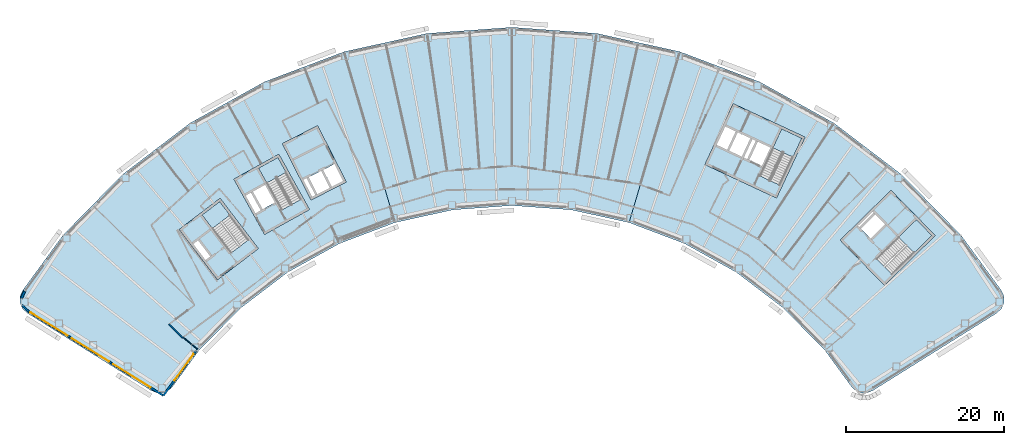
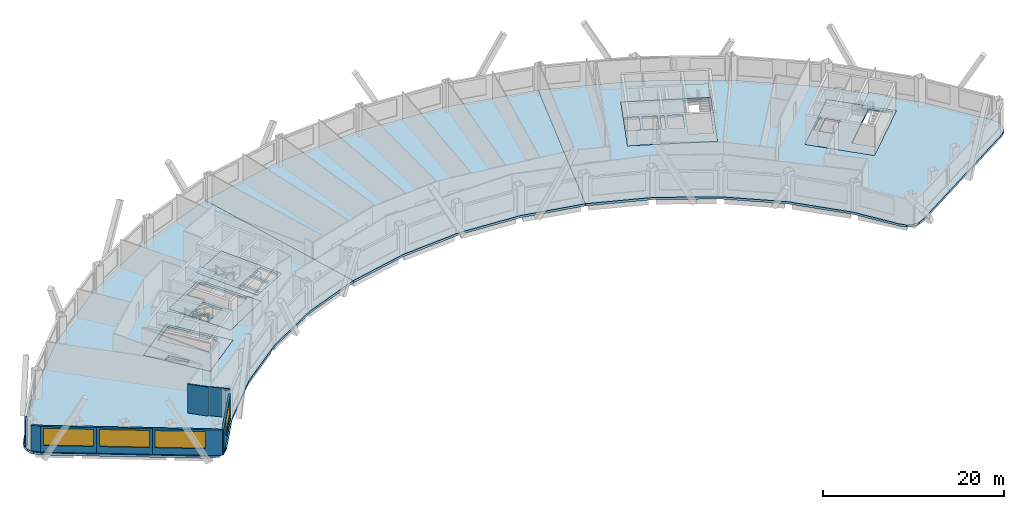
# One storey, part 4 of 13: 12 slabs, 8 walls, 4 windows, 4 openings, 4 elements without a shape of their own.
"""IFC4 building model written with IfcOpenShell, lengths in metres."""

from ifc_helpers import new_model, si_unit, direction, frame, frame_2d, origin, place, context, subcontext, project, spatial, polyline, rectangle, outline, extrude, material, layer, layer_set, type_object, element, fill, aggregate, save


model = new_model("IFC4")

# Units and contexts
model_context = context("Model", 3, precision=1e-05, world=origin(), true_north=direction((0.0, 1.0)))
body_context = subcontext(model_context, "Body", "Model", "MODEL_VIEW")
ifc_project = project(units=[si_unit("LENGTHUNIT", "METRE"), si_unit("AREAUNIT", "SQUARE_METRE"), si_unit("VOLUMEUNIT", "CUBIC_METRE"), si_unit("PLANEANGLEUNIT", "RADIAN"), si_unit("MASSUNIT", "GRAM", prefix="KILO")], contexts=[model_context])

# Site, building, storey
site_placement = place(None, origin())
site = spatial("IfcSite", under=ifc_project, at=site_placement, CompositionType="ELEMENT")
building_placement = place(site_placement, origin())
building = spatial("IfcBuilding", under=site, at=building_placement, Name="Tuul Gate Civic Tower", CompositionType="ELEMENT")
storey_placement = place(building_placement, frame((0.0, 0.0, 188.89990234375)))
storey = spatial("IfcBuildingStorey", under=building, at=storey_placement, Name="Level 43", CompositionType="ELEMENT", Elevation=188.89990234375)

# Slabs
ifc_material_1 = material(Name="Concrete C40/50", Category="concrete")
ifc_layer_1 = layer(ifc_material_1, 0.300048828125)
ifc_layer_set_1 = layer_set([ifc_layer_1], Name="Concrete C40/50")
slab_type_1 = type_object("IfcSlabType", Name="Core floor slab 300", PredefinedType="FLOOR", material=ifc_layer_set_1)
slab_1_placement = place(storey_placement, frame((0.0, 0.0, -0.2998046875)))
element("IfcSlab", 1, at=slab_1_placement, inside=storey, type_object=slab_type_1, Name="FLOOR SLAB", PredefinedType="FLOOR", context=body_context, shape_type="SweptSolid", body=[
    extrude(outline(polyline([(-31.10009765625, -13.7890625), (-35.946044921875, -7.423828125), (-41.11767578125, -11.361572265625), (-36.271484375, -17.726806640625), (-31.10009765625, -13.7890625)]), holes=[polyline([(-37.19287109375, -14.783203125), (-38.737548828125, -12.75439453125), (-39.45361328125, -13.299560546875), (-37.908935546875, -15.328369140625), (-37.19287109375, -14.783203125)]), polyline([(-32.33935546875, -12.65771484375), (-34.56591796875, -14.352783203125), (-38.229736328125, -9.54052734375), (-36.003173828125, -7.845458984375), (-32.33935546875, -12.65771484375)])]), origin(), (0.0, 0.0, 1.0), 0.2998046875),
])
slab_2_placement = place(storey_placement, frame((0.0, 0.0, -0.2998046875)))
element("IfcSlab", 2, at=slab_2_placement, inside=storey, type_object=slab_type_1, Name="FLOOR SLAB", PredefinedType="FLOOR", context=body_context, shape_type="SweptSolid", body=[
    extrude(outline(polyline([(-24.638916015625, -8.846923828125), (-28.51708984375, -1.849853515625), (-34.2021484375, -5.0009765625), (-30.32421875, -11.998046875), (-24.638916015625, -8.846923828125)]), holes=[polyline([(-29.0185546875, -7.958740234375), (-30.254638671875, -5.728515625), (-31.785400390625, -6.576904296875), (-30.54931640625, -8.80712890625), (-29.0185546875, -7.958740234375)]), polyline([(-30.8115234375, -8.95263671875), (-32.047607421875, -6.72216796875), (-32.8349609375, -7.158447265625), (-31.5986328125, -9.388916015625), (-30.8115234375, -8.95263671875)]), polyline([(-25.702392578125, -7.548828125), (-28.14990234375, -8.905517578125), (-31.08203125, -3.615234375), (-28.63427734375, -2.2587890625), (-25.702392578125, -7.548828125)])]), origin(), (0.0, 0.0, 1.0), 0.2998046875),
])
slab_3_placement = place(storey_placement, frame((0.0, 0.0, -0.2998046875)))
element("IfcSlab", 3, at=slab_3_placement, inside=storey, type_object=slab_type_1, Name="FLOOR SLAB", PredefinedType="FLOOR", context=body_context, shape_type="SweptSolid", body=[
    extrude(outline(polyline([(48.117919921875, -18.43310546875), (54.545166015625, -12.1328125), (48.945068359375, -6.419921875), (42.517822265625, -12.719970703125), (48.117919921875, -18.43310546875)]), holes=[polyline([(46.373779296875, -12.510986328125), (48.19482421875, -10.725830078125), (46.969970703125, -9.47607421875), (45.14892578125, -11.26123046875), (46.373779296875, -12.510986328125)]), polyline([(44.93896484375, -11.046875), (46.760009765625, -9.261962890625), (46.514892578125, -9.011962890625), (44.69384765625, -10.797119140625), (44.93896484375, -11.046875)]), polyline([(49.086181640625, -17.062744140625), (47.12744140625, -15.064208984375), (52.160888671875, -10.130126953125), (54.11962890625, -12.128662109375), (49.086181640625, -17.062744140625)])]), origin(), (0.0, 0.0, 1.0), 0.2998046875),
])
slab_4_placement = place(storey_placement, frame((0.0, 0.0, -0.2998046875)))
element("IfcSlab", 4, at=slab_4_placement, inside=storey, type_object=slab_type_1, Name="FLOOR SLAB", PredefinedType="FLOOR", context=body_context, shape_type="SweptSolid", body=[
    extrude(outline(polyline([(34.465087890625, -7.385986328125), (38.056884765625, 0.31787109375), (28.993896484375, 4.543701171875), (25.40185546875, -3.159912109375), (34.465087890625, -7.385986328125)]), holes=[polyline([(32.60888671875, -3.32080078125), (33.6865234375, -1.009765625), (32.1005859375, -0.27001953125), (31.02294921875, -2.581298828125), (32.60888671875, -3.32080078125)]), polyline([(30.0712890625, -2.137451171875), (31.14892578125, 0.173583984375), (29.562744140625, 0.9130859375), (28.4853515625, -1.39794921875), (30.0712890625, -2.137451171875)]), polyline([(30.751220703125, -2.454345703125), (31.82861328125, -0.143310546875), (31.4208984375, 0.046875), (30.34326171875, -2.264404296875), (30.751220703125, -2.454345703125)]), polyline([(28.21337890625, -1.27099609375), (29.291015625, 1.0400390625), (27.8408203125, 1.71630859375), (26.76318359375, -0.594970703125), (28.21337890625, -1.27099609375)]), polyline([(34.889892578125, -5.7626953125), (32.353759765625, -4.580078125), (35.120849609375, 1.354736328125), (37.6572265625, 0.17236328125), (34.889892578125, -5.7626953125)])]), origin(), (0.0, 0.0, 1.0), 0.2998046875),
])
ifc_material_2 = material(Name="Concrete C40/50", Category="concrete")
ifc_layer_2 = layer(ifc_material_2, 0.300048828125)
ifc_layer_set_2 = layer_set([ifc_layer_2], Name="Concrete C40/50")
slab_type_2 = type_object("IfcSlabType", Name="Core floor slab 300 non-bearing", PredefinedType="FLOOR", material=ifc_layer_set_2)
slab_5_placement = place(storey_placement, frame((0.0, 0.0, -0.2998046875)))
element("IfcSlab", 5, at=slab_5_placement, inside=storey, type_object=slab_type_2, Name="FLOOR SLAB", PredefinedType="FLOOR", context=body_context, shape_type="SweptSolid", body=[
    extrude(outline(polyline([(-19.98095703125, -5.365966796875), (-23.613037109375, 1.761962890625), (-28.068115234375, -0.508056640625), (-24.43603515625, -7.635986328125), (-19.98095703125, -5.365966796875)]), holes=[polyline([(-20.384521484375, -5.23486328125), (-21.47412109375, -3.096435546875), (-22.899658203125, -3.822998046875), (-21.81005859375, -5.961181640625), (-20.384521484375, -5.23486328125)]), polyline([(-22.077392578125, -6.097412109375), (-23.1669921875, -3.958984375), (-24.726318359375, -4.753662109375), (-23.63671875, -6.89208984375), (-22.077392578125, -6.097412109375)]), polyline([(-23.8359375, -7.161865234375), (-24.99365234375, -4.889892578125), (-25.5283203125, -5.162109375), (-24.37060546875, -7.434326171875), (-23.8359375, -7.161865234375)])]), origin(), (0.0, 0.0, 1.0), 0.2998046875),
])

# Stair, slab
ifc_material_3 = material(Name="Concrete C40/50", Category="concrete")
stair_type = type_object("IfcStairType", Name="Exit stair", PredefinedType="HALF_TURN_STAIR", material=ifc_material_3)
stair_1_placement = place(storey_placement, origin())
stair_1 = element("IfcStair", 6, at=stair_1_placement, inside=storey, type_object=stair_type, Name="Level 43 ST-1", PredefinedType="HALF_TURN_STAIR")
ifc_material_4 = material(Name="Concrete C40/50", Category="concrete")
ifc_layer_3 = layer(ifc_material_4, 0.199951171875)
ifc_layer_set_3 = layer_set([ifc_layer_3], Name="Concrete C40/50")
slab_type_3 = type_object("IfcSlabType", Name="Exit stair landing", PredefinedType="LANDING", material=ifc_layer_set_3)
slab_6_placement = place(storey_placement, frame((0.0, 0.0, 1.900146484375)))
slab_6 = element("IfcSlab", 7, at=slab_6_placement, type_object=slab_type_3, Name="ST-1 landing 1", PredefinedType="LANDING", context=body_context, shape_type="SweptSolid", body=[
    extrude(outline(polyline([(-34.699462890625, -9.554931640625), (-36.9287109375, -11.252197265625), (-38.23193359375, -9.540283203125), (-36.0029296875, -7.843017578125), (-34.699462890625, -9.554931640625)])), origin(), (0.0, 0.0, 1.0), 0.199951171875),
])
aggregate(stair_1, [slab_6])

stair_2_placement = place(storey_placement, origin())
stair_2 = element("IfcStair", 8, at=stair_2_placement, inside=storey, type_object=stair_type, Name="Level 43 ST-2", PredefinedType="HALF_TURN_STAIR")
slab_7_placement = place(storey_placement, frame((0.0, 0.0, 1.900146484375)))
slab_7 = element("IfcSlab", 9, at=slab_7_placement, type_object=slab_type_3, Name="ST-2 landing 1", PredefinedType="LANDING", context=body_context, shape_type="SweptSolid", body=[
    extrude(outline(polyline([(-27.5908203125, -4.138427734375), (-30.041015625, -5.49658203125), (-31.084228515625, -3.61474609375), (-28.6337890625, -2.256591796875), (-27.5908203125, -4.138427734375)])), origin(), (0.0, 0.0, 1.0), 0.199951171875),
])
aggregate(stair_2, [slab_7])

stair_3_placement = place(storey_placement, origin())
stair_3 = element("IfcStair", 10, at=stair_3_placement, inside=storey, type_object=stair_type, Name="Level 43 ST-3", PredefinedType="HALF_TURN_STAIR")
slab_8_placement = place(storey_placement, frame((0.0, 0.0, 1.900146484375)))
slab_8 = element("IfcSlab", 11, at=slab_8_placement, type_object=slab_type_3, Name="ST-3 landing 1", PredefinedType="LANDING", context=body_context, shape_type="SweptSolid", body=[
    extrude(outline(polyline([(51.871337890625, -14.3349609375), (49.91015625, -12.334228515625), (52.160888671875, -10.1279296875), (54.1220703125, -12.128662109375), (51.871337890625, -14.3349609375)])), origin(), (0.0, 0.0, 1.0), 0.199951171875),
])
aggregate(stair_3, [slab_8])

stair_4_placement = place(storey_placement, origin())
stair_4 = element("IfcStair", 12, at=stair_4_placement, inside=storey, type_object=stair_type, Name="Level 43 ST-4", PredefinedType="HALF_TURN_STAIR")
slab_9_placement = place(storey_placement, frame((0.0, 0.0, 1.900146484375)))
slab_9 = element("IfcSlab", 13, at=slab_9_placement, type_object=slab_type_3, Name="ST-4 landing 1", PredefinedType="LANDING", context=body_context, shape_type="SweptSolid", body=[
    extrude(outline(polyline([(36.538818359375, -2.230224609375), (33.999755859375, -1.046142578125), (35.1201171875, 1.35693359375), (37.659423828125, 0.173095703125), (36.538818359375, -2.230224609375)])), origin(), (0.0, 0.0, 1.0), 0.199951171875),
])
aggregate(stair_4, [slab_9])

# Slabs
ifc_material_5 = material(Name="Concrete C35/45", Category="concrete")
ifc_layer_4 = layer(ifc_material_5, 0.300048828125)
ifc_layer_set_4 = layer_set([ifc_layer_4], Name="Concrete C35/45")
slab_type_4 = type_object("IfcSlabType", Name="STR-FLOOR-SLAB-300", PredefinedType="FLOOR", material=ifc_layer_set_4)
slab_10_placement = place(storey_placement, frame((0.0, 0.0, -0.2998046875)))
element("IfcSlab", 14, at=slab_10_placement, inside=storey, type_object=slab_type_4, Name="Level 43/slab/W", PredefinedType="FLOOR", context=body_context, shape_type="SweptSolid", body=[
    extrude(outline(polyline([(-20.843994140625, -13.154052734375), (-13.823974609375, -10.4990234375), (-20.258056640625, 11.123046875), (-30.326904296875, 7.31494140625), (-39.740966796875, 2.096923828125), (-48.305908203125, -4.424072265625), (-55.841064453125, -12.111083984375), (-60.922119140625, -19.06689453125), (-61.258056640625, -19.81103515625), (-61.27001953125, -20.6259765625), (-60.955078125, -21.37890625), (-60.365966796875, -21.943115234375), (-44.635986328125, -31.77197265625), (-43.94189453125, -32.04296875), (-43.197021484375, -32.0400390625), (-42.5048828125, -31.764892578125), (-41.9609375, -31.256103515625), (-38.632080078125, -26.697998046875), (-33.37890625, -21.337890625), (-27.407958984375, -16.7919921875), (-20.843994140625, -13.154052734375)]), holes=[polyline([(-31.10009765625, -13.7890625), (-36.27197265625, -17.72705078125), (-41.117919921875, -11.362060546875), (-35.946044921875, -7.424072265625), (-31.10009765625, -13.7890625)]), polyline([(-24.638916015625, -8.846923828125), (-30.323974609375, -11.998046875), (-34.201904296875, -5.0009765625), (-28.51708984375, -1.85009765625), (-24.638916015625, -8.846923828125)]), polyline([(-24.43603515625, -7.635986328125), (-28.068115234375, -0.508056640625), (-23.613037109375, 1.761962890625), (-19.98095703125, -5.365966796875), (-24.43603515625, -7.635986328125)])]), origin(), (0.0, 0.0, 1.0), 0.2998046875),
])
slab_11_placement = place(storey_placement, frame((0.0, 0.0, -0.2998046875)))
element("IfcSlab", 15, at=slab_11_placement, inside=storey, type_object=slab_type_4, Name="Level 43/slab/M", PredefinedType="FLOOR", context=body_context, shape_type="SweptSolid", body=[
    extrude(outline(polyline([(15.803955078125, -10.4990234375), (22.238037109375, 11.123046875), (11.72607421875, 13.43994140625), (0.989990234375, 14.217041015625), (-9.74609375, 13.43994140625), (-20.258056640625, 11.123046875), (-13.823974609375, -10.4990234375), (-6.4951171875, -8.884033203125), (0.989990234375, -8.342041015625), (8.47509765625, -8.884033203125), (15.803955078125, -10.4990234375)])), origin(), (0.0, 0.0, 1.0), 0.2998046875),
])
slab_12_placement = place(storey_placement, frame((0.0, 0.0, -0.2998046875)))
element("IfcSlab", 16, at=slab_12_placement, inside=storey, type_object=slab_type_4, Name="Level 43/slab/E", PredefinedType="FLOOR", context=body_context, shape_type="SweptSolid", body=[
    extrude(outline(polyline([(45.922119140625, -32.04296875), (46.615966796875, -31.77197265625), (62.345947265625, -21.943115234375), (62.93505859375, -21.37890625), (63.25, -20.6259765625), (63.238037109375, -19.81103515625), (62.90087890625, -19.06689453125), (57.821044921875, -12.111083984375), (50.284912109375, -4.424072265625), (41.720947265625, 2.096923828125), (32.306884765625, 7.31494140625), (22.238037109375, 11.123046875), (15.803955078125, -10.4990234375), (22.823974609375, -13.154052734375), (29.387939453125, -16.7919921875), (35.35888671875, -21.337890625), (40.612060546875, -26.697998046875), (43.94091796875, -31.256103515625), (44.485107421875, -31.764892578125), (45.177001953125, -32.0400390625), (45.922119140625, -32.04296875)]), holes=[polyline([(48.117919921875, -18.43310546875), (42.51806640625, -12.719970703125), (48.945068359375, -6.419921875), (54.544921875, -12.133056640625), (48.117919921875, -18.43310546875)]), polyline([(25.402099609375, -3.159912109375), (28.993896484375, 4.5439453125), (38.056884765625, 0.318115234375), (34.465087890625, -7.385986328125), (25.402099609375, -3.159912109375)])]), origin(), (0.0, 0.0, 1.0), 0.2998046875),
])

# Walls
ifc_material_6 = material(Name="Gypsum board partition")
ifc_layer_5 = layer(ifc_material_6, 0.14990234375)
ifc_layer_set_5 = layer_set([ifc_layer_5], Name="Gypsum board partition")
wall_type_1 = type_object("IfcWallType", Name="Corridor wall P150", PredefinedType="PARTITIONING", material=ifc_layer_set_5)
wall_1_placement = place(storey_placement, frame((-42.405029296875, -23.3681640625, 0.0), z_axis=(0.0, 0.0, 1.0), x_axis=(0.706037915468, -0.708174033639, 0.0)))
element("IfcWall", 17, at=wall_1_placement, inside=storey, type_object=wall_type_1, Name="p060", PredefinedType="PARTITIONING", context=body_context, shape_type="SweptSolid", body=[
    extrude(rectangle(XDim=2.400146484375, YDim=0.14990234375, at=frame_2d((1.2001953125, 0.0))), origin(), (0.0, 0.0, 1.0), 3.900146484375),
])
ifc_material_7 = material(Name="Precast concrete C40/50", Category="concrete")
ifc_layer_6 = layer(ifc_material_7, 0.25)
ifc_layer_set_6 = layer_set([ifc_layer_6], Name="Precast concrete C40/50")
wall_type_2 = type_object("IfcWallType", Name="External wall", PredefinedType="STANDARD", material=ifc_layer_set_6)
wall_2_placement = place(storey_placement, frame((-60.686279296875, -19.207763671875, 0.0), z_axis=(0.0, 0.0, 1.0), x_axis=(-0.413528765966, -0.910491054167, 0.0)))
element("IfcWall", 18, at=wall_2_placement, inside=storey, type_object=wall_type_2, Name="External wall", PredefinedType="STANDARD", context=body_context, shape_type="SweptSolid", body=[
    extrude(rectangle(XDim=0.939208984375, YDim=0.25, at=frame_2d((0.4697265625, 0.0))), origin(), (0.0, 0.0, 1.0), 3.4501953125),
])
wall_3_placement = place(storey_placement, frame((-60.996826171875, -20.962890625, 0.0), z_axis=(0.0, 0.0, 1.0), x_axis=(0.722107994372, -0.691780344087, 0.0)))
element("IfcWall", 19, at=wall_3_placement, inside=storey, type_object=wall_type_2, Name="External wall", PredefinedType="STANDARD", context=body_context, shape_type="SweptSolid", body=[
    extrude(rectangle(XDim=1.102783203125, YDim=0.25, at=frame_2d((0.55126953125, 0.0))), origin(), (0.0, 0.0, 1.0), 3.4501953125),
])

# Wall, opening, window
wall_4_placement = place(storey_placement, frame((-60.220703125, -21.7099609375, 0.0), z_axis=(0.0, 0.0, 1.0), x_axis=(0.848042669488, -0.529927948619, 0.0)))
wall_4 = element("IfcWall", 20, at=wall_4_placement, inside=storey, type_object=wall_type_2, Name="External wall", PredefinedType="STANDARD", context=body_context, shape_type="SweptSolid", body=[
    extrude(rectangle(XDim=6.1826171875, YDim=0.25, at=frame_2d((3.09130859375, 0.0))), origin(), (0.0, 0.0, 1.0), 3.4501953125),
])
opening_1_placement = place(wall_4_placement, frame((0.31640625, 0.0, 0.89990234375)))
opening_1 = element("IfcOpeningElement", 21, at=opening_1_placement, cuts=wall_4, Name="Opening W24", PredefinedType="OPENING", context=body_context, shape_type="SweptSolid", body=[
    extrude(rectangle(XDim=5.550048828125, YDim=2.300048828125, at=frame_2d((2.77490234375, 1.14990234375))), frame((0.0, 0.135009765625, 0.0), z_axis=(0.0, -1.0, 0.0), x_axis=(1.0, 0.0, 0.0)), (0.0, 0.0, 1.0), 0.27001953125),
])
ifc_material_8 = material(Name="Glass", Category="glass")
window_type_1 = type_object("IfcWindowType", Name="Window W24 5550 x 2300", PartitioningType="SINGLE_PANEL", PredefinedType="WINDOW", material=ifc_material_8)
window_1_placement = place(opening_1_placement, origin())
window_1 = element("IfcWindow", 22, at=window_1_placement, inside=storey, type_object=window_type_1, Name="Window", OverallHeight=2.300048828125, OverallWidth=5.550048828125, PartitioningType="SINGLE_PANEL", PredefinedType="WINDOW", context=body_context, shape_type="SweptSolid", body=[
    extrude(rectangle(XDim=5.550048828125, YDim=2.300048828125, at=frame_2d((2.77490234375, 1.14990234375))), frame((0.0, 0.030029296875, 0.0), z_axis=(0.0, -1.0, 0.0), x_axis=(1.0, 0.0, 0.0)), (0.0, 0.0, 1.0), 0.06005859375),
])
fill(opening_1, window_1)

wall_5_placement = place(storey_placement, frame((-54.9775390625, -24.986328125, 0.0), z_axis=(0.0, 0.0, 1.0), x_axis=(0.848053758074, -0.529910203164, 0.0)))
wall_5 = element("IfcWall", 23, at=wall_5_placement, inside=storey, type_object=wall_type_2, Name="External wall", PredefinedType="STANDARD", context=body_context, shape_type="SweptSolid", body=[
    extrude(rectangle(XDim=6.182861328125, YDim=0.25, at=frame_2d((3.09130859375, 0.0))), origin(), (0.0, 0.0, 1.0), 3.4501953125),
])
opening_2_placement = place(wall_5_placement, frame((0.31640625, 0.0, 0.89990234375)))
opening_2 = element("IfcOpeningElement", 24, at=opening_2_placement, cuts=wall_5, Name="Opening W24", PredefinedType="OPENING", context=body_context, shape_type="SweptSolid", body=[
    extrude(rectangle(XDim=5.550048828125, YDim=2.300048828125, at=frame_2d((2.77490234375, 1.14990234375))), frame((0.0, 0.135009765625, 0.0), z_axis=(0.0, -1.0, 0.0), x_axis=(1.0, 0.0, 0.0)), (0.0, 0.0, 1.0), 0.27001953125),
])
window_2_placement = place(opening_2_placement, origin())
window_2 = element("IfcWindow", 25, at=window_2_placement, inside=storey, type_object=window_type_1, Name="Window", OverallHeight=2.300048828125, OverallWidth=5.550048828125, PartitioningType="SINGLE_PANEL", PredefinedType="WINDOW", context=body_context, shape_type="SweptSolid", body=[
    extrude(rectangle(XDim=5.550048828125, YDim=2.300048828125, at=frame_2d((2.77490234375, 1.14990234375))), frame((0.0, 0.030029296875, 0.0), z_axis=(0.0, -1.0, 0.0), x_axis=(1.0, 0.0, 0.0)), (0.0, 0.0, 1.0), 0.06005859375),
])
fill(opening_2, window_2)

wall_6_placement = place(storey_placement, frame((-49.734130859375, -28.2626953125, 0.0), z_axis=(0.0, 0.0, 1.0), x_axis=(0.848047613046, -0.52992003737, 0.0)))
wall_6 = element("IfcWall", 26, at=wall_6_placement, inside=storey, type_object=wall_type_2, Name="External wall", PredefinedType="STANDARD", context=body_context, shape_type="SweptSolid", body=[
    extrude(rectangle(XDim=7.787841796875, YDim=0.25, at=frame_2d((3.89404296875, 0.0))), origin(), (0.0, 0.0, 1.0), 3.4501953125),
])
opening_3_placement = place(wall_6_placement, frame((0.31640625, 0.0, 0.89990234375)))
opening_3 = element("IfcOpeningElement", 27, at=opening_3_placement, cuts=wall_6, Name="Opening W24", PredefinedType="OPENING", context=body_context, shape_type="SweptSolid", body=[
    extrude(rectangle(XDim=5.550048828125, YDim=2.300048828125, at=frame_2d((2.77490234375, 1.14990234375))), frame((0.0, 0.135009765625, 0.0), z_axis=(0.0, -1.0, 0.0), x_axis=(1.0, 0.0, 0.0)), (0.0, 0.0, 1.0), 0.27001953125),
])
window_3_placement = place(opening_3_placement, origin())
window_3 = element("IfcWindow", 28, at=window_3_placement, inside=storey, type_object=window_type_1, Name="Window", OverallHeight=2.300048828125, OverallWidth=5.550048828125, PartitioningType="SINGLE_PANEL", PredefinedType="WINDOW", context=body_context, shape_type="SweptSolid", body=[
    extrude(rectangle(XDim=5.550048828125, YDim=2.300048828125, at=frame_2d((2.77490234375, 1.14990234375))), frame((0.0, 0.030029296875, 0.0), z_axis=(0.0, -1.0, 0.0), x_axis=(1.0, 0.0, 0.0)), (0.0, 0.0, 1.0), 0.06005859375),
])
fill(opening_3, window_3)

wall_7_placement = place(storey_placement, frame((-43.129638671875, -32.3896484375, 0.0), z_axis=(0.0, 0.0, 1.0), x_axis=(0.589748783254, 0.807586758591, 0.0)))
wall_7 = element("IfcWall", 29, at=wall_7_placement, inside=storey, type_object=wall_type_2, Name="External wall", PredefinedType="STANDARD", context=body_context, shape_type="SweptSolid", body=[
    extrude(rectangle(XDim=6.97216796875, YDim=0.25, at=frame_2d((3.486083984375, 0.0))), origin(), (0.0, 0.0, 1.0), 3.4501953125),
])
opening_4_placement = place(wall_7_placement, frame((2.357666015625, 0.0, 0.89990234375)))
opening_4 = element("IfcOpeningElement", 30, at=opening_4_placement, cuts=wall_7, Name="Opening W25", PredefinedType="OPENING", context=body_context, shape_type="SweptSolid", body=[
    extrude(rectangle(XDim=4.14990234375, YDim=2.300048828125, at=frame_2d((2.074951171875, 1.14990234375))), frame((0.0, 0.135009765625, 0.0), z_axis=(0.0, -1.0, 0.0), x_axis=(1.0, 0.0, 0.0)), (0.0, 0.0, 1.0), 0.27001953125),
])
ifc_material_9 = material(Name="Glass", Category="glass")
window_type_2 = type_object("IfcWindowType", Name="Window W25 4150 x 2300", PartitioningType="SINGLE_PANEL", PredefinedType="WINDOW", material=ifc_material_9)
window_4_placement = place(opening_4_placement, origin())
window_4 = element("IfcWindow", 31, at=window_4_placement, inside=storey, type_object=window_type_2, Name="Window", OverallHeight=2.300048828125, OverallWidth=4.14990234375, PartitioningType="SINGLE_PANEL", PredefinedType="WINDOW", context=body_context, shape_type="SweptSolid", body=[
    extrude(rectangle(XDim=4.14990234375, YDim=2.300048828125, at=frame_2d((2.074951171875, 1.14990234375))), frame((0.0, 0.030029296875, 0.0), z_axis=(0.0, -1.0, 0.0), x_axis=(1.0, 0.0, 0.0)), (0.0, 0.0, 1.0), 0.06005859375),
])
fill(opening_4, window_4)

# Wall
ifc_material_10 = material(Name="Gypsum board partition")
ifc_layer_7 = layer(ifc_material_10, 0.10009765625)
ifc_layer_set_7 = layer_set([ifc_layer_7], Name="Gypsum board partition")
wall_type_3 = type_object("IfcWallType", Name="Partition P100", PredefinedType="PARTITIONING", material=ifc_layer_set_7)
wall_8_placement = place(storey_placement, frame((-40.6279296875, -25.006103515625, 0.0), z_axis=(0.0, 0.0, 1.0), x_axis=(0.76280943071, -0.646623362105, 0.0)))
element("IfcWall", 32, at=wall_8_placement, inside=storey, type_object=wall_type_3, Name="p059", PredefinedType="PARTITIONING", context=body_context, shape_type="SweptSolid", body=[
    extrude(rectangle(XDim=2.344970703125, YDim=0.10009765625, at=frame_2d((1.17236328125, 0.0))), origin(), (0.0, 0.0, 1.0), 3.900146484375),
])

save(model, "model.ifc")
